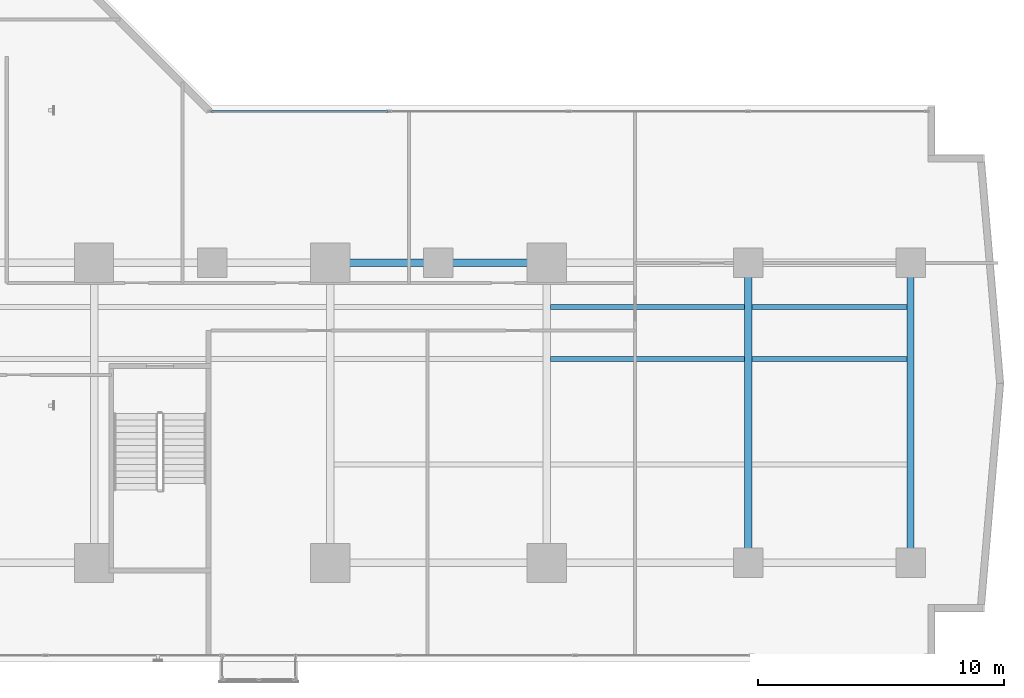
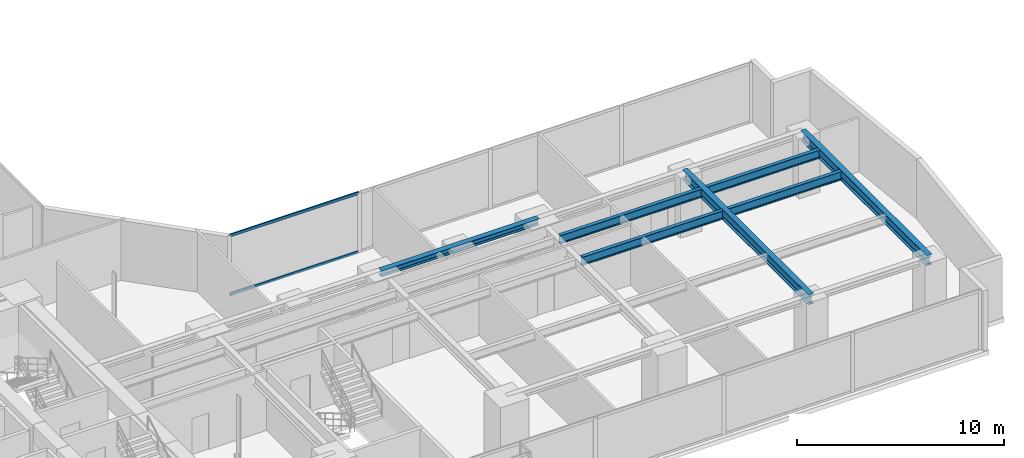
# One storey, part 12 of 30: 7 beams, 2 members, 1 element without a shape of its own.
"""IFC4 building model written with IfcOpenShell, lengths in metres."""

from ifc_helpers import new_model, si_unit, direction, frame, origin, origin_with_axes, origin_2d, place, context, subcontext, project, spatial, hollow_rectangle, i_section, extrude, source, transform, mapped, material, layer, layer_set, material_profile, profile_set, type_object, element, aggregate, save


model = new_model("IFC4")

# Units and contexts
model_context = context("Model", 3, precision=1e-05, world=origin(), true_north=direction((0.0, 1.0)))
body_context = subcontext(model_context, "Body", "Model", "MODEL_VIEW")
ifc_project = project(units=[si_unit("LENGTHUNIT", "METRE"), si_unit("AREAUNIT", "SQUARE_METRE"), si_unit("VOLUMEUNIT", "CUBIC_METRE"), si_unit("PLANEANGLEUNIT", "RADIAN"), si_unit("MASSUNIT", "GRAM", prefix="KILO")], contexts=[model_context])

# Site, building, storey
site_placement = place(None, origin())
site = spatial("IfcSite", under=ifc_project, at=site_placement, CompositionType="ELEMENT")
building_placement = place(site_placement, origin())
building = spatial("IfcBuilding", under=site, at=building_placement, Name="Kolvaren Waterfront Exchange", CompositionType="ELEMENT")
storey_placement = place(building_placement, frame((0.0, 0.0, 52.39990234375)))
storey = spatial("IfcBuildingStorey", under=building, at=storey_placement, Name="L13", CompositionType="ELEMENT", Elevation=52.39990234375)

# Beams
ifc_material_1 = material(Name="Steel S355", Category="steel")
ifc_material_profile_1 = material_profile(ifc_material_1, i_section(OverallWidth=0.300048828125, OverallDepth=0.360107421875, WebThickness=0.012451171875, FlangeThickness=0.0224609375, FilletRadius=0.027099609375, at=origin_2d()), Name="HEB360")
ifc_profile_set_1 = profile_set([ifc_material_profile_1], Name="Steel S355")
beam_type_1 = type_object("IfcBeamType", Name="STR-BM-HEB360", PredefinedType="SPANDREL", material=ifc_profile_set_1)
beam_placement = place(storey_placement, frame((36.800048828125, 17.39990234375, 3.360107421875), z_axis=(1.0, 0.0, 0.0), x_axis=(0.0, 1.0, 0.0)))
element("IfcBeam", 1, at=beam_placement, inside=storey, type_object=beam_type_1, Name="L13 east-arm spandrel N3", PredefinedType="SPANDREL", context=body_context, shape_type="SweptSolid", body=[
    extrude(i_section(OverallWidth=0.300048828125, OverallDepth=0.360107421875, WebThickness=0.012451171875, FlangeThickness=0.0224609375, FilletRadius=0.027099609375, at=origin_2d()), origin(), (0.0, 0.0, 1.0), 8.800048828125),
])
ifc_material_profile_2 = material_profile(ifc_material_1, i_section(OverallWidth=0.300048828125, OverallDepth=0.60009765625, WebThickness=0.015380859375, FlangeThickness=0.030029296875, FilletRadius=0.027099609375, at=origin_2d()), Name="HEB600")
ifc_profile_set_2 = profile_set([ifc_material_profile_2], Name="Steel S355")
beam_type_2 = type_object("IfcBeamType", Name="STR-BM-HEB600", PredefinedType="BEAM", material=ifc_profile_set_2)
for number, where, z_axis, x_axis, name in (
    (2, (53.800048828125, 5.199951171875, 3.239990234375), (0.0, 1.0, 0.0), (-1.0, 0.0, 0.0), "L13 east-arm transverse girder X53"),
    (3, (60.39990234375, 5.199951171875, 3.239990234375), (0.0, 1.0, 0.0), (-1.0, 0.0, 0.0), "L13 east-arm transverse girder X60"),
):
    element("IfcBeam", number, at=place(storey_placement, frame(where, z_axis=z_axis, x_axis=x_axis)), inside=storey, type_object=beam_type_2, Name=name, PredefinedType="BEAM", context=body_context, shape_type="SweptSolid", body=[
        extrude(i_section(OverallWidth=0.300048828125, OverallDepth=0.60009765625, WebThickness=0.015380859375, FlangeThickness=0.030029296875, FilletRadius=0.027099609375, at=origin_2d()), origin(), (0.0, 0.0, 1.0), 12.199951171875),
    ])
ifc_material_profile_3 = material_profile(ifc_material_1, i_section(OverallWidth=0.199951171875, OverallDepth=0.5, WebThickness=0.01025390625, FlangeThickness=0.01611328125, FilletRadius=0.02099609375, at=origin_2d()), Name="IPE500")
ifc_profile_set_3 = profile_set([ifc_material_profile_3], Name="Steel S355")
beam_type_3 = type_object("IfcBeamType", Name="STR-BM-IPE500", PredefinedType="JOIST", material=ifc_profile_set_3)
for number, where, z_axis, x_axis, name in (
    (4, (45.751953125, 13.5, 3.2900390625), (1.0, 0.0, 0.0), (0.0, 1.0, 0.0), "L13 east-arm composite joist 4A"),
    (5, (45.751953125, 15.60009765625, 3.2900390625), (1.0, 0.0, 0.0), (0.0, 1.0, 0.0), "L13 east-arm composite joist 4C"),
):
    element("IfcBeam", number, at=place(storey_placement, frame(where, z_axis=z_axis, x_axis=x_axis)), inside=storey, type_object=beam_type_3, Name=name, PredefinedType="JOIST", context=body_context, shape_type="SweptSolid", body=[
        extrude(i_section(OverallWidth=0.199951171875, OverallDepth=0.5, WebThickness=0.01025390625, FlangeThickness=0.01611328125, FilletRadius=0.02099609375, at=origin_2d()), origin(), (0.0, 0.0, 1.0), 7.89599609375),
    ])
for number, where, z_axis, x_axis, name in (
    (6, (53.951904296875, 13.5, 3.2900390625), (1.0, 0.0, 0.0), (0.0, 1.0, 0.0), "L13 east-arm composite joist 5A"),
    (7, (53.951904296875, 15.60009765625, 3.2900390625), (1.0, 0.0, 0.0), (0.0, 1.0, 0.0), "L13 east-arm composite joist 5C"),
):
    element("IfcBeam", number, at=place(storey_placement, frame(where, z_axis=z_axis, x_axis=x_axis)), inside=storey, type_object=beam_type_3, Name=name, PredefinedType="JOIST", context=body_context, shape_type="SweptSolid", body=[
        extrude(i_section(OverallWidth=0.199951171875, OverallDepth=0.5, WebThickness=0.01025390625, FlangeThickness=0.01611328125, FilletRadius=0.02099609375, at=origin_2d()), origin(), (0.0, 0.0, 1.0), 6.296142578125),
    ])

# Curtain wall, members
ifc_material_2 = material(Name="Anodised bronze aluminium 6063-T6", Category="aluminium")
ifc_layer = layer(ifc_material_2, 0.219970703125, Name="Anodised bronze aluminium 6063-T6")
ifc_layer_set = layer_set([ifc_layer], Name="Anodised bronze aluminium 6063-T6")
curtain_wall_type = type_object("IfcCurtainWallType", Name="ARC-CW-SYS1", PredefinedType="USERDEFINED", material=ifc_layer_set)
curtain_wall_placement = place(storey_placement, origin())
curtain_wall = element("IfcCurtainWall", 8, at=curtain_wall_placement, inside=storey, type_object=curtain_wall_type, Name="L13 stick curtain wall CW1 (CW-L13-EN)", ObjectType="STICK CURTAIN WALL", PredefinedType="USERDEFINED")
ifc_material_3 = material(Name="Anodised aluminium 6063-T6", Category="aluminium")
ifc_material_profile_4 = material_profile(ifc_material_3, hollow_rectangle(XDim=0.074951171875, YDim=0.159912109375, WallThickness=0.00439453125, at=origin_2d()), Name="ALU-TRN-160x75x4.5")
ifc_profile_set_4 = profile_set([ifc_material_profile_4], Name="Anodised aluminium 6063-T6")
member_type = type_object("IfcMemberType", Name="ARC-CWT-160", PredefinedType="USERDEFINED", material=ifc_profile_set_4)
shared_shape = source(origin_with_axes(), body_context, "Body", "SweptSolid", [
    extrude(hollow_rectangle(XDim=0.074951171875, YDim=0.159912109375, WallThickness=0.00439453125, at=origin_2d()), origin(), (0.0, 0.0, 1.0), 7.1826171875),
])
member_1_placement = place(storey_placement, frame((31.969970703125, 23.56005859375, 0.03759765625), z_axis=(1.0, 0.0, 0.0), x_axis=(0.0, 1.0, 0.0)))
member_1 = element("IfcMember", 9, at=member_1_placement, type_object=member_type, Name="CW1 transom 1.1", ObjectType="TRANSOM", PredefinedType="USERDEFINED", context=body_context, shape_type="MappedRepresentation", body=[
    mapped(shared_shape, transform((0.0, 0.0, 0.0), x_axis=(1.0, 0.0, 0.0), y_axis=(0.0, 1.0, 0.0), z_axis=(0.0, 0.0, 1.0), scale=1.0)),
])
member_2_placement = place(storey_placement, frame((31.969970703125, 23.56005859375, 3.502685546875), z_axis=(1.0, 0.0, 0.0), x_axis=(0.0, 1.0, 0.0)))
member_2 = element("IfcMember", 10, at=member_2_placement, type_object=member_type, Name="CW1 transom 1.2", ObjectType="TRANSOM", PredefinedType="USERDEFINED", context=body_context, shape_type="MappedRepresentation", body=[
    mapped(shared_shape, transform((0.0, 0.0, 0.0), x_axis=(1.0, 0.0, 0.0), y_axis=(0.0, 1.0, 0.0), z_axis=(0.0, 0.0, 1.0), scale=1.0)),
])
aggregate(curtain_wall, [member_1, member_2])

save(model, "model.ifc")
